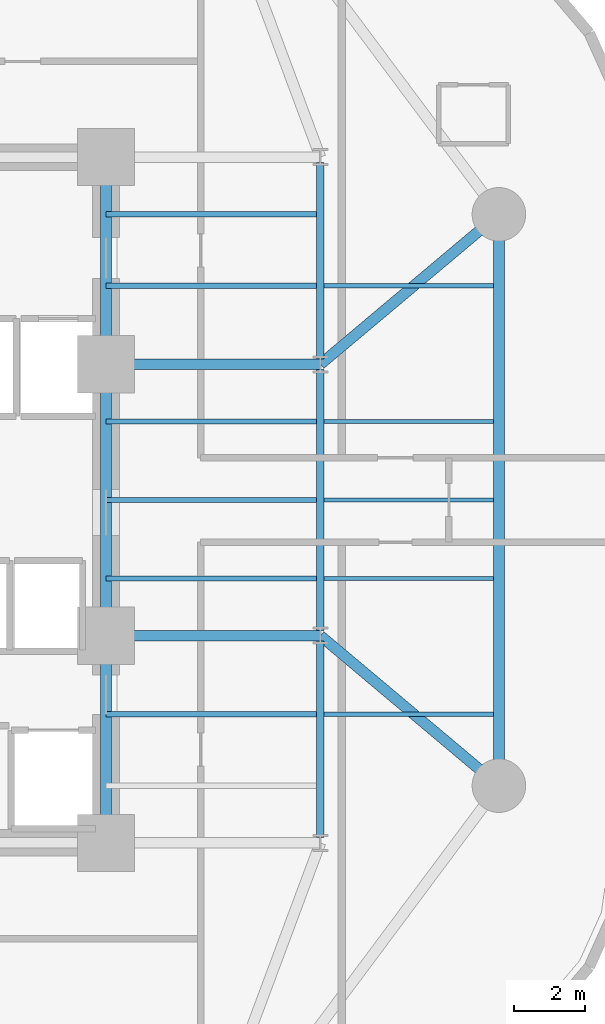
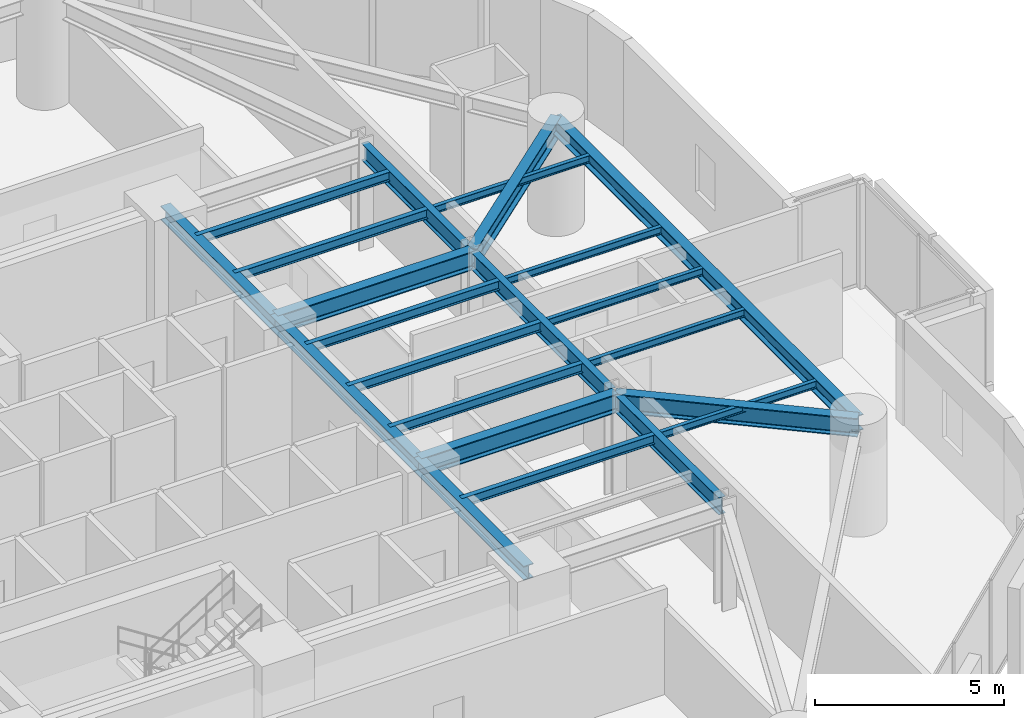
# One storey, part 5 of 17: 22 beams.
"""IFC4 building model written with IfcOpenShell, lengths in metres."""

from ifc_helpers import new_model, si_unit, direction, frame, origin, origin_2d, place, context, subcontext, project, spatial, i_section, extrude, material, material_profile, profile_set, type_object, element, save


model = new_model("IFC4")

# Units and contexts
model_context = context("Model", 3, precision=1e-05, world=origin(), true_north=direction((0.0, 1.0)))
body_context = subcontext(model_context, "Body", "Model", "MODEL_VIEW")
ifc_project = project(units=[si_unit("LENGTHUNIT", "METRE"), si_unit("AREAUNIT", "SQUARE_METRE"), si_unit("VOLUMEUNIT", "CUBIC_METRE"), si_unit("PLANEANGLEUNIT", "RADIAN"), si_unit("MASSUNIT", "GRAM", prefix="KILO")], contexts=[model_context])

# Site, building, storey
site_placement = place(None, origin())
site = spatial("IfcSite", under=ifc_project, at=site_placement, CompositionType="ELEMENT")
building_placement = place(site_placement, origin())
building = spatial("IfcBuilding", under=site, at=building_placement, Name="An Khanh Terracotta Commons", CompositionType="ELEMENT")
storey_placement = place(building_placement, frame((0.0, 0.0, 36.0)))
storey = spatial("IfcBuildingStorey", under=building, at=storey_placement, Name="L09", CompositionType="ELEMENT", Elevation=36.0)

# Beams
ifc_material = material(Name="Steel S355J2", Category="steel")
ifc_material_profile_1 = material_profile(ifc_material, i_section(OverallWidth=0.300048828125, OverallDepth=0.449951171875, WebThickness=0.013916015625, FlangeThickness=0.02587890625, FilletRadius=0.027099609375, at=origin_2d()), Name="HEB450")
ifc_profile_set_1 = profile_set([ifc_material_profile_1], Name="Steel S355J2")
beam_type_1 = type_object("IfcBeamType", Name="BM-HEB450", PredefinedType="BEAM", material=ifc_profile_set_1)
beam_1_placement = place(storey_placement, frame((37.199951171875, 14.39990234375, 3.175048828125), z_axis=(0.0, 1.0, 0.0), x_axis=(-1.0, 0.0, 0.0)))
element("IfcBeam", 1, at=beam_1_placement, inside=storey, type_object=beam_type_1, Name="L09 Core East Coupling Girder 1", PredefinedType="BEAM", context=body_context, shape_type="SweptSolid", body=[
    extrude(i_section(OverallWidth=0.300048828125, OverallDepth=0.449951171875, WebThickness=0.013916015625, FlangeThickness=0.02587890625, FilletRadius=0.027099609375, at=origin_2d()), origin(), (0.0, 0.0, 1.0), 5.800048828125),
])
beam_2_placement = place(storey_placement, frame((37.199951171875, 20.199951171875, 3.175048828125), z_axis=(0.0, 1.0, 0.0), x_axis=(-1.0, 0.0, 0.0)))
element("IfcBeam", 2, at=beam_2_placement, inside=storey, type_object=beam_type_1, Name="L09 Core East Coupling Girder 2", PredefinedType="BEAM", context=body_context, shape_type="SweptSolid", body=[
    extrude(i_section(OverallWidth=0.300048828125, OverallDepth=0.449951171875, WebThickness=0.013916015625, FlangeThickness=0.02587890625, FilletRadius=0.027099609375, at=origin_2d()), origin(), (0.0, 0.0, 1.0), 7.60009765625),
])
beam_3_placement = place(storey_placement, frame((37.199951171875, 27.800048828125, 3.175048828125), z_axis=(0.0, 1.0, 0.0), x_axis=(-1.0, 0.0, 0.0)))
element("IfcBeam", 3, at=beam_3_placement, inside=storey, type_object=beam_type_1, Name="L09 Core East Coupling Girder 3", PredefinedType="BEAM", context=body_context, shape_type="SweptSolid", body=[
    extrude(i_section(OverallWidth=0.300048828125, OverallDepth=0.449951171875, WebThickness=0.013916015625, FlangeThickness=0.02587890625, FilletRadius=0.027099609375, at=origin_2d()), origin(), (0.0, 0.0, 1.0), 5.800048828125),
])
ifc_material_profile_2 = material_profile(ifc_material, i_section(OverallWidth=0.300048828125, OverallDepth=0.5, WebThickness=0.014404296875, FlangeThickness=0.028076171875, FilletRadius=0.027099609375, at=origin_2d()), Name="HEB500")
ifc_profile_set_2 = profile_set([ifc_material_profile_2], Name="Steel S355J2")
beam_type_2 = type_object("IfcBeamType", Name="BM-HEB500", PredefinedType="BEAM", material=ifc_profile_set_2)
beam_4_placement = place(storey_placement, frame((48.199951171875, 16.0, 3.14990234375), z_axis=(0.0, 1.0, 0.0), x_axis=(-1.0, 0.0, 0.0)))
element("IfcBeam", 4, at=beam_4_placement, inside=storey, type_object=beam_type_2, Name="L09 Perimeter Ring Spandrel 3", PredefinedType="BEAM", context=body_context, shape_type="SweptSolid", body=[
    extrude(i_section(OverallWidth=0.300048828125, OverallDepth=0.5, WebThickness=0.014404296875, FlangeThickness=0.028076171875, FilletRadius=0.027099609375, at=origin_2d()), origin(), (0.0, 0.0, 1.0), 16.0),
])
ifc_material_profile_3 = material_profile(ifc_material, i_section(OverallWidth=0.300048828125, OverallDepth=0.60009765625, WebThickness=0.015380859375, FlangeThickness=0.030029296875, FilletRadius=0.027099609375, at=origin_2d()), Name="HEB600")
ifc_profile_set_3 = profile_set([ifc_material_profile_3], Name="Steel S355J2")
beam_type_3 = type_object("IfcBeamType", Name="BM-HEB600", PredefinedType="BEAM", material=ifc_profile_set_3)
for number, where, z_axis, x_axis, name in (
    (5, (37.199951171875, 20.199951171875, 3.10009765625), (1.0, 0.0, 0.0), (0.0, 1.0, 0.0), "L09 East Primary Floor Girder 2"),
    (6, (37.199951171875, 27.800048828125, 3.10009765625), (1.0, 0.0, 0.0), (0.0, 1.0, 0.0), "L09 East Primary Floor Girder 3"),
):
    element("IfcBeam", number, at=place(storey_placement, frame(where, z_axis=z_axis, x_axis=x_axis)), inside=storey, type_object=beam_type_3, Name=name, PredefinedType="BEAM", context=body_context, shape_type="SweptSolid", body=[
        extrude(i_section(OverallWidth=0.300048828125, OverallDepth=0.60009765625, WebThickness=0.015380859375, FlangeThickness=0.030029296875, FilletRadius=0.027099609375, at=origin_2d()), origin(), (0.0, 0.0, 1.0), 6.0),
    ])
for number, where, z_axis, x_axis, name in (
    (7, (48.199951171875, 16.0, 3.10009765625), (-0.765708547471, 0.643187702253, 0.0), (-0.643187702253, -0.765708547471, 0.0), "L09 Mega-Column Tie Girder 3"),
    (8, (48.199951171875, 32.0, 3.10009765625), (-0.765708547471, -0.643187702253, 0.0), (0.643187702253, -0.765708547471, 0.0), "L09 Mega-Column Tie Girder 4"),
):
    element("IfcBeam", number, at=place(storey_placement, frame(where, z_axis=z_axis, x_axis=x_axis)), inside=storey, type_object=beam_type_3, Name=name, PredefinedType="BEAM", context=body_context, shape_type="SweptSolid", body=[
        extrude(i_section(OverallWidth=0.300048828125, OverallDepth=0.60009765625, WebThickness=0.015380859375, FlangeThickness=0.030029296875, FilletRadius=0.027099609375, at=origin_2d()), origin(), (0.0, 0.0, 1.0), 6.52978515625),
    ])
ifc_material_profile_4 = material_profile(ifc_material, i_section(OverallWidth=0.1201171875, OverallDepth=0.239990234375, WebThickness=0.006103515625, FlangeThickness=0.009765625, FilletRadius=0.014892578125, at=origin_2d()), Name="IPE240")
ifc_profile_set_4 = profile_set([ifc_material_profile_4], Name="Steel S355J2")
beam_type_4 = type_object("IfcBeamType", Name="BM-IPE240", PredefinedType="JOIST", material=ifc_profile_set_4)
for number, where, z_axis, x_axis, name in (
    (9, (43.304931640625, 18.0, 3.280029296875), (1.0, 0.0, 0.0), (0.0, 1.0, 0.0), "L09 Riverfront Composite Joist 2"),
    (10, (43.304931640625, 21.800048828125, 3.280029296875), (1.0, 0.0, 0.0), (0.0, 1.0, 0.0), "L09 Riverfront Composite Joist 3"),
    (11, (43.304931640625, 24.0, 3.280029296875), (1.0, 0.0, 0.0), (0.0, 1.0, 0.0), "L09 Riverfront Composite Joist 4"),
    (12, (43.304931640625, 26.199951171875, 3.280029296875), (1.0, 0.0, 0.0), (0.0, 1.0, 0.0), "L09 Riverfront Composite Joist 5"),
    (13, (43.304931640625, 30.0, 3.280029296875), (1.0, 0.0, 0.0), (0.0, 1.0, 0.0), "L09 Riverfront Composite Joist 6"),
):
    element("IfcBeam", number, at=place(storey_placement, frame(where, z_axis=z_axis, x_axis=x_axis)), inside=storey, type_object=beam_type_4, Name=name, PredefinedType="JOIST", context=body_context, shape_type="SweptSolid", body=[
        extrude(i_section(OverallWidth=0.1201171875, OverallDepth=0.239990234375, WebThickness=0.006103515625, FlangeThickness=0.009765625, FilletRadius=0.014892578125, at=origin_2d()), origin(), (0.0, 0.0, 1.0), 4.7451171875),
    ])
ifc_material_profile_5 = material_profile(ifc_material, i_section(OverallWidth=0.14990234375, OverallDepth=0.300048828125, WebThickness=0.007080078125, FlangeThickness=0.0107421875, FilletRadius=0.014892578125, at=origin_2d()), Name="IPE300")
ifc_profile_set_5 = profile_set([ifc_material_profile_5], Name="Steel S355J2")
beam_type_5 = type_object("IfcBeamType", Name="BM-IPE300", PredefinedType="JOIST", material=ifc_profile_set_5)
for number, where, z_axis, x_axis, name in (
    (14, (37.199951171875, 18.0, 3.25), (1.0, 0.0, 0.0), (0.0, 1.0, 0.0), "L09 Inboard Composite Joist 2"),
    (15, (37.199951171875, 21.800048828125, 3.25), (1.0, 0.0, 0.0), (0.0, 1.0, 0.0), "L09 Inboard Composite Joist 3"),
    (16, (37.199951171875, 24.0, 3.25), (1.0, 0.0, 0.0), (0.0, 1.0, 0.0), "L09 Inboard Composite Joist 4"),
    (17, (37.199951171875, 26.199951171875, 3.25), (1.0, 0.0, 0.0), (0.0, 1.0, 0.0), "L09 Inboard Composite Joist 5"),
    (18, (37.199951171875, 30.0, 3.25), (1.0, 0.0, 0.0), (0.0, 1.0, 0.0), "L09 Inboard Composite Joist 6"),
    (19, (37.199951171875, 32.0, 3.25), (1.0, 0.0, 0.0), (0.0, 1.0, 0.0), "L09 Inboard Composite Joist 7"),
):
    element("IfcBeam", number, at=place(storey_placement, frame(where, z_axis=z_axis, x_axis=x_axis)), inside=storey, type_object=beam_type_5, Name=name, PredefinedType="JOIST", context=body_context, shape_type="SweptSolid", body=[
        extrude(i_section(OverallWidth=0.14990234375, OverallDepth=0.300048828125, WebThickness=0.007080078125, FlangeThickness=0.0107421875, FilletRadius=0.014892578125, at=origin_2d()), origin(), (0.0, 0.0, 1.0), 5.89501953125),
    ])
ifc_material_profile_6 = material_profile(ifc_material, i_section(OverallWidth=0.2099609375, OverallDepth=0.550048828125, WebThickness=0.010986328125, FlangeThickness=0.01708984375, FilletRadius=0.02392578125, at=origin_2d()), Name="IPE550")
ifc_profile_set_6 = profile_set([ifc_material_profile_6], Name="Steel S355J2")
beam_type_6 = type_object("IfcBeamType", Name="BM-IPE550", PredefinedType="BEAM", material=ifc_profile_set_6)
beam_5_placement = place(storey_placement, frame((43.199951171875, 14.550048828125, 3.125), z_axis=(0.0, 1.0, 0.0), x_axis=(-1.0, 0.0, 0.0)))
element("IfcBeam", 20, at=beam_5_placement, inside=storey, type_object=beam_type_6, Name="L09 East Spine Girder 1", PredefinedType="BEAM", context=body_context, shape_type="SweptSolid", body=[
    extrude(i_section(OverallWidth=0.2099609375, OverallDepth=0.550048828125, WebThickness=0.010986328125, FlangeThickness=0.01708984375, FilletRadius=0.02392578125, at=origin_2d()), origin(), (0.0, 0.0, 1.0), 5.5),
])
beam_6_placement = place(storey_placement, frame((43.199951171875, 20.35009765625, 3.125), z_axis=(0.0, 1.0, 0.0), x_axis=(-1.0, 0.0, 0.0)))
element("IfcBeam", 21, at=beam_6_placement, inside=storey, type_object=beam_type_6, Name="L09 East Spine Girder 2", PredefinedType="BEAM", context=body_context, shape_type="SweptSolid", body=[
    extrude(i_section(OverallWidth=0.2099609375, OverallDepth=0.550048828125, WebThickness=0.010986328125, FlangeThickness=0.01708984375, FilletRadius=0.02392578125, at=origin_2d()), origin(), (0.0, 0.0, 1.0), 7.2998046875),
])
beam_7_placement = place(storey_placement, frame((43.199951171875, 27.949951171875, 3.125), z_axis=(0.0, 1.0, 0.0), x_axis=(-1.0, 0.0, 0.0)))
element("IfcBeam", 22, at=beam_7_placement, inside=storey, type_object=beam_type_6, Name="L09 East Spine Girder 3", PredefinedType="BEAM", context=body_context, shape_type="SweptSolid", body=[
    extrude(i_section(OverallWidth=0.2099609375, OverallDepth=0.550048828125, WebThickness=0.010986328125, FlangeThickness=0.01708984375, FilletRadius=0.02392578125, at=origin_2d()), origin(), (0.0, 0.0, 1.0), 5.5),
])

save(model, "model.ifc")
